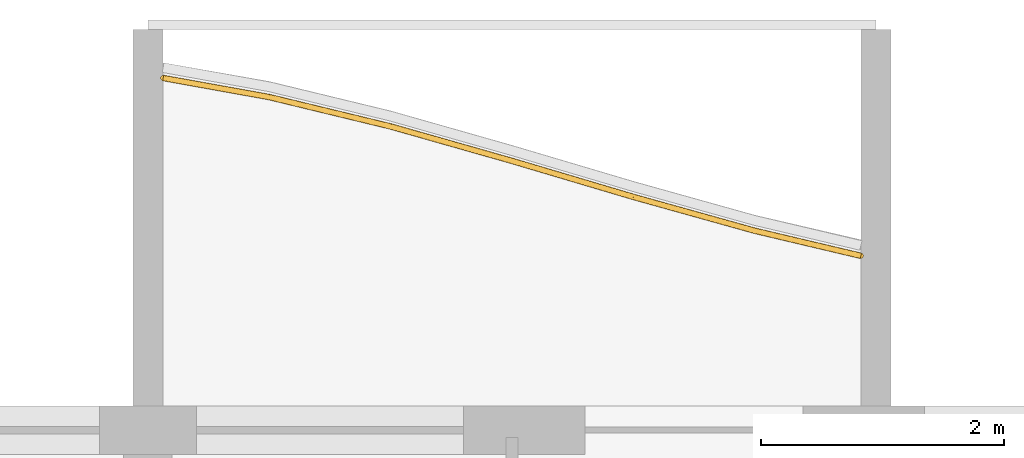
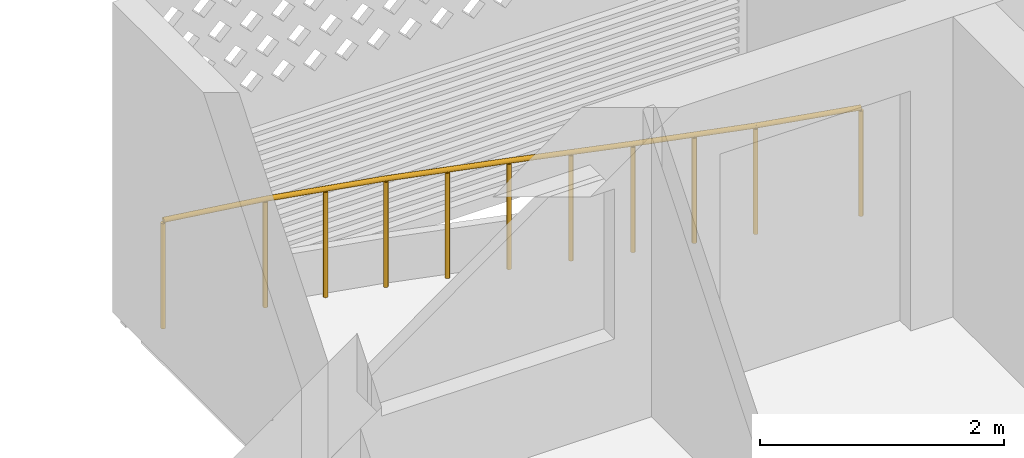
# One storey, part 28 of 38: 1 railing.
"""IFC4 building model written with IfcOpenShell, lengths in metres."""

from ifc_helpers import new_model, si_unit, direction, frame, origin, origin_2d, place, context, subcontext, project, spatial, circle, extrude, material, type_object, element, save


model = new_model("IFC4")

# Units and contexts
model_context = context("Model", 3, precision=1e-05, world=origin(), true_north=direction((0.0, 1.0)))
body_context = subcontext(model_context, "Body", "Model", "MODEL_VIEW")
ifc_project = project(units=[si_unit("LENGTHUNIT", "METRE"), si_unit("AREAUNIT", "SQUARE_METRE"), si_unit("VOLUMEUNIT", "CUBIC_METRE"), si_unit("PLANEANGLEUNIT", "RADIAN"), si_unit("MASSUNIT", "GRAM", prefix="KILO")], contexts=[model_context])

# Site, building, storey
site_placement = place(None, origin())
site = spatial("IfcSite", under=ifc_project, at=site_placement, CompositionType="ELEMENT")
building_placement = place(site_placement, origin())
building = spatial("IfcBuilding", under=site, at=building_placement, Name="Poui Terraces", CompositionType="ELEMENT")
storey_placement = place(building_placement, frame((0.0, 0.0, 49.800048828125)))
storey = spatial("IfcBuildingStorey", under=building, at=storey_placement, Name="L13", CompositionType="ELEMENT", Elevation=49.800048828125)

# Railing
ifc_material = material(Name="Painted steel fretwork", Category="steel")
railing_type = type_object("IfcRailingType", Name="BALCONY GUARD 1100", PredefinedType="GUARDRAIL", material=ifc_material)
railing_placement = place(storey_placement, frame((54.125, 47.7021484375, 0.0)))
element("IfcRailing", 1, at=railing_placement, inside=storey, type_object=railing_type, Name="BALCONY GUARD", PredefinedType="GUARDRAIL", context=body_context, shape_type="SweptSolid", body=[
    extrude(circle(Radius=0.02392578125, at=origin_2d()), frame((0.0, 0.0, 1.076171875), z_axis=(0.984189068803, -0.177121079626, 0.0), x_axis=(0.177121079626, 0.984189068803, 0.0)), (0.0, 0.0, 1.0), 0.88916015625),
    extrude(circle(Radius=0.02392578125, at=origin_2d()), frame((0.875, -0.157470703125, 1.076171875), z_axis=(0.97195702449, -0.235158547673, 0.0), x_axis=(0.235158547673, 0.97195702449, 0.0)), (0.0, 0.0, 1.0), 1.02880859375),
    extrude(circle(Radius=0.02392578125, at=origin_2d()), frame((1.875, -0.3994140625, 1.076171875), z_axis=(0.961974635381, -0.273138794177, 0.0), x_axis=(0.273138794177, 0.961974635381, 0.0)), (0.0, 0.0, 1.0), 1.03955078125),
    extrude(circle(Radius=0.02392578125, at=origin_2d()), frame((2.875, -0.683349609375, 1.076171875), z_axis=(0.958710700624, -0.284383179018, 0.0), x_axis=(0.284383179018, 0.958710700624, 0.0)), (0.0, 0.0, 1.0), 1.04296875),
    extrude(circle(Radius=0.02392578125, at=origin_2d()), frame((3.875, -0.97998046875, 1.076171875), z_axis=(0.963261408291, -0.268565558659, 0.0), x_axis=(0.268565558659, 0.963261408291, 0.0)), (0.0, 0.0, 1.0), 1.0380859375),
    extrude(circle(Radius=0.02392578125, at=origin_2d()), frame((4.875, -1.2587890625, 1.076171875), z_axis=(0.973192348595, -0.229992723008, 0.0), x_axis=(0.229992723008, 0.973192348595, 0.0)), (0.0, 0.0, 1.0), 0.899169921875),
    extrude(circle(Radius=0.02099609375, at=origin_2d()), origin(), (0.0, 0.0, 1.0), 1.052001953125),
    extrude(circle(Radius=0.02099609375, at=origin_2d()), frame((0.875, -0.157470703125, 0.0)), (0.0, 0.0, 1.0), 1.052001953125),
    extrude(circle(Radius=0.02099609375, at=origin_2d()), frame((1.375, -0.2783203125, 0.0)), (0.0, 0.0, 1.0), 1.052001953125),
    extrude(circle(Radius=0.02099609375, at=origin_2d()), frame((1.875, -0.3994140625, 0.0)), (0.0, 0.0, 1.0), 1.052001953125),
    extrude(circle(Radius=0.02099609375, at=origin_2d()), frame((2.375, -0.54150390625, 0.0)), (0.0, 0.0, 1.0), 1.052001953125),
    extrude(circle(Radius=0.02099609375, at=origin_2d()), frame((2.875, -0.683349609375, 0.0)), (0.0, 0.0, 1.0), 1.052001953125),
    extrude(circle(Radius=0.02099609375, at=origin_2d()), frame((3.375, -0.83154296875, 0.0)), (0.0, 0.0, 1.0), 1.052001953125),
    extrude(circle(Radius=0.02099609375, at=origin_2d()), frame((3.875, -0.97998046875, 0.0)), (0.0, 0.0, 1.0), 1.052001953125),
    extrude(circle(Radius=0.02099609375, at=origin_2d()), frame((4.375, -1.119384765625, 0.0)), (0.0, 0.0, 1.0), 1.052001953125),
    extrude(circle(Radius=0.02099609375, at=origin_2d()), frame((4.875, -1.2587890625, 0.0)), (0.0, 0.0, 1.0), 1.052001953125),
    extrude(circle(Radius=0.02099609375, at=origin_2d()), frame((5.75, -1.465576171875, 0.0)), (0.0, 0.0, 1.0), 1.052001953125),
])

save(model, "model.ifc")
